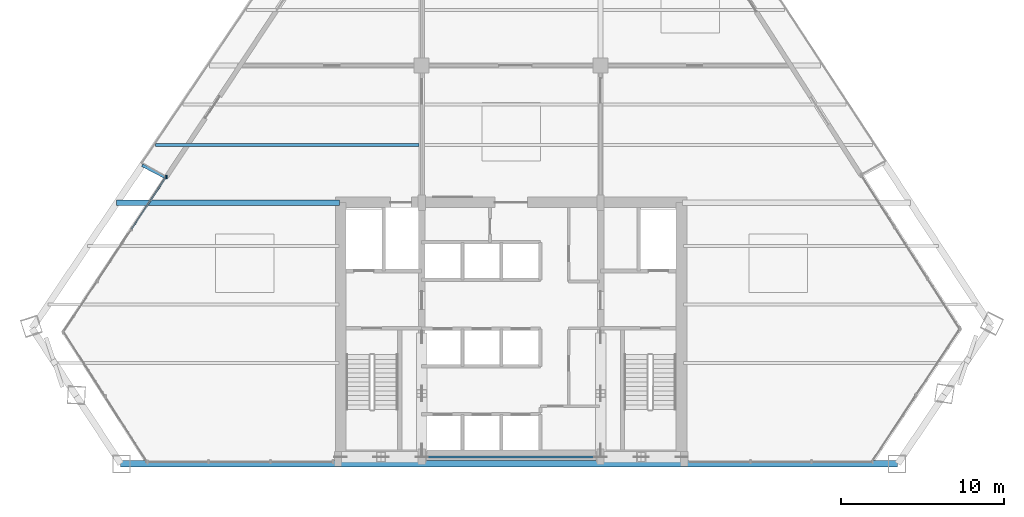
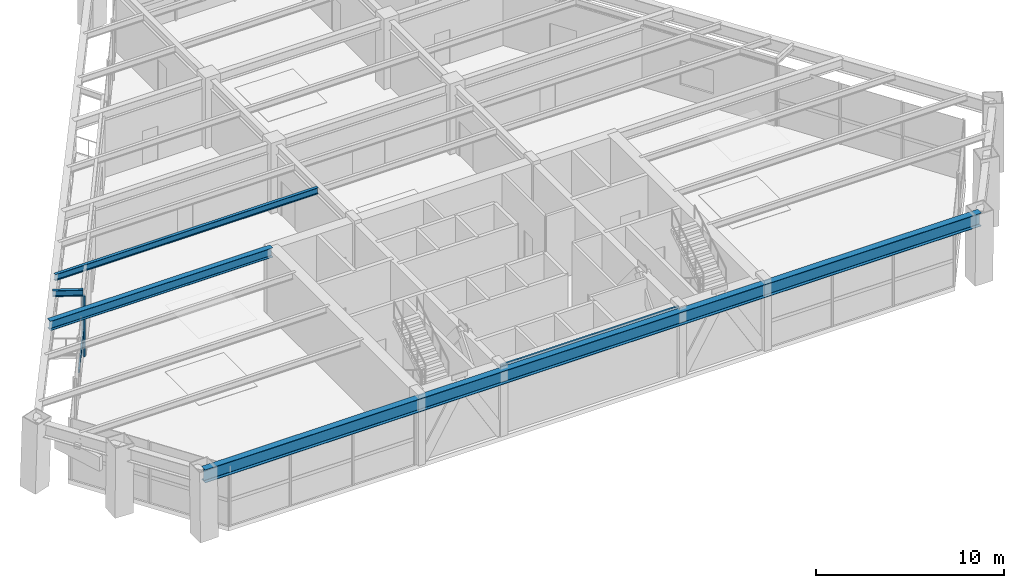
# One storey, part 3 of 12: 5 beams, 2 members, 1 element without a shape of its own.
"""IFC4 building model written with IfcOpenShell, lengths in metres."""

from ifc_helpers import new_model, si_unit, direction, frame, origin, origin_2d, place, context, subcontext, project, spatial, rectangle, i_section, extrude, source, transform, mapped, material, material_profile, profile_set, type_object, type_shapes, element, aggregate, save


model = new_model("IFC4")

# Units and contexts
model_context = context("Model", 3, precision=1e-05, world=origin(), true_north=direction((0.0, 1.0)))
body_context = subcontext(model_context, "Body", "Model", "MODEL_VIEW")
ifc_project = project(units=[si_unit("LENGTHUNIT", "METRE"), si_unit("AREAUNIT", "SQUARE_METRE"), si_unit("VOLUMEUNIT", "CUBIC_METRE"), si_unit("PLANEANGLEUNIT", "RADIAN"), si_unit("MASSUNIT", "GRAM", prefix="KILO")], contexts=[model_context])

# Site, building, storey
site_placement = place(None, origin())
site = spatial("IfcSite", under=ifc_project, at=site_placement, CompositionType="ELEMENT")
building_placement = place(site_placement, origin())
building = spatial("IfcBuilding", under=site, at=building_placement, Name="Varnakhor Terracotta Tower", CompositionType="ELEMENT")
storey_placement = place(building_placement, frame((0.0, 0.0, 121.0)))
storey = spatial("IfcBuildingStorey", under=building, at=storey_placement, Name="L30", CompositionType="ELEMENT", Elevation=121.0)

# Beams
ifc_material_1 = material(Name="Steel S355", Category="steel")
ifc_material_profile_1 = material_profile(ifc_material_1, i_section(OverallWidth=0.1201171875, OverallDepth=0.239990234375, WebThickness=0.006103515625, FlangeThickness=0.009765625, FilletRadius=0.01806640625, at=origin_2d()), Name="IPE240")
ifc_profile_set_1 = profile_set([ifc_material_profile_1], Name="Steel S355")
beam_type_1 = type_object("IfcBeamType", Name="LNT-IPE240", PredefinedType="LINTEL", material=ifc_profile_set_1)
shared_shape_1 = source(origin(), body_context, "Body", "SweptSolid", [
    extrude(i_section(OverallWidth=0.1201171875, OverallDepth=0.239990234375, WebThickness=0.006103515625, FlangeThickness=0.009765625, FilletRadius=0.01806640625, at=origin_2d()), origin(), (0.0, 0.0, 1.0), 11.0),
])
type_shapes(beam_type_1, [shared_shape_1])
beam_1_placement = place(storey_placement, frame((-5.5, 0.419921875, 4.25), z_axis=(1.0, 0.0, 0.0), x_axis=(0.0, 1.0, 0.0)))
element("IfcBeam", 1, at=beam_1_placement, inside=storey, type_object=beam_type_1, Name="L30 Core South Coupling Lintel", PredefinedType="LINTEL", context=body_context, shape_type="MappedRepresentation", body=[
    mapped(shared_shape_1, transform((0.0, 0.0, 0.0), scale=1.0)),
])
ifc_material_profile_2 = material_profile(ifc_material_1, i_section(OverallWidth=0.39990234375, OverallDepth=0.85498046875, WebThickness=0.01806640625, FlangeThickness=0.029052734375, FilletRadius=0.01806640625, at=origin_2d()), Name="W33X201")
ifc_profile_set_2 = profile_set([ifc_material_profile_2], Name="Steel S355")
beam_type_2 = type_object("IfcBeamType", Name="BM-W33X201", PredefinedType="BEAM", material=ifc_profile_set_2)
shared_shape_2 = source(origin(), body_context, "Body", "SweptSolid", [
    extrude(i_section(OverallWidth=0.39990234375, OverallDepth=0.85498046875, WebThickness=0.01806640625, FlangeThickness=0.029052734375, FilletRadius=0.01806640625, at=origin_2d()), origin(), (0.0, 0.0, 1.0), 47.78515625),
])
type_shapes(beam_type_2, [shared_shape_2])
beam_2_placement = place(storey_placement, frame((-24.010986328125, 0.0, 3.9423828125), z_axis=(1.0, 0.0, 0.0), x_axis=(0.0, 1.0, 0.0)))
element("IfcBeam", 2, at=beam_2_placement, inside=storey, type_object=beam_type_2, Name="L30 Perimeter Spandrel 1", PredefinedType="BEAM", context=body_context, shape_type="MappedRepresentation", body=[
    mapped(shared_shape_2, transform((0.0, 0.0, 0.0), scale=1.0)),
])
ifc_material_profile_3 = material_profile(ifc_material_1, i_section(OverallWidth=0.324951171875, OverallDepth=0.615966796875, WebThickness=0.013916015625, FlangeThickness=0.02197265625, FilletRadius=0.01806640625, at=origin_2d()), Name="W24X117")
ifc_profile_set_3 = profile_set([ifc_material_profile_3], Name="Steel S355")
beam_type_3 = type_object("IfcBeamType", Name="BM-W24X117", PredefinedType="BEAM", material=ifc_profile_set_3)
shared_shape_3 = source(origin(), body_context, "Body", "SweptSolid", [
    extrude(i_section(OverallWidth=0.324951171875, OverallDepth=0.615966796875, WebThickness=0.013916015625, FlangeThickness=0.02197265625, FilletRadius=0.01806640625, at=origin_2d()), origin(), (0.0, 0.0, 1.0), 13.70458984375),
])
beam_3_placement = place(storey_placement, frame((-24.254638671875, 16.050048828125, 4.06201171875), z_axis=(1.0, 0.0, 0.0), x_axis=(0.0, 1.0, 0.0)))
element("IfcBeam", 3, at=beam_3_placement, inside=storey, type_object=beam_type_3, Name="L30 Wing Girder W", PredefinedType="BEAM", context=body_context, shape_type="MappedRepresentation", body=[
    mapped(shared_shape_3, transform((0.0, 0.0, 0.0), scale=1.0)),
])
ifc_material_profile_4 = material_profile(ifc_material_1, i_section(OverallWidth=0.179931640625, OverallDepth=0.4130859375, WebThickness=0.009765625, FlangeThickness=0.01611328125, FilletRadius=0.01806640625, at=origin_2d()), Name="W16X50")
ifc_profile_set_4 = profile_set([ifc_material_profile_4], Name="Steel S355")
beam_type_4 = type_object("IfcBeamType", Name="JST-W16X50", PredefinedType="JOIST", material=ifc_profile_set_4)
shared_shape_4 = source(origin(), body_context, "Body", "SweptSolid", [
    extrude(i_section(OverallWidth=0.179931640625, OverallDepth=0.4130859375, WebThickness=0.009765625, FlangeThickness=0.01611328125, FilletRadius=0.01806640625, at=origin_2d()), origin(), (0.0, 0.0, 1.0), 16.203369140625),
])
beam_4_placement = place(storey_placement, frame((-21.86181640625, 19.60009765625, 4.16357421875), z_axis=(1.0, 0.0, 0.0), x_axis=(0.0, 1.0, 0.0)))
element("IfcBeam", 4, at=beam_4_placement, inside=storey, type_object=beam_type_4, Name="L30 Composite Floor Joist 4-1", PredefinedType="JOIST", context=body_context, shape_type="MappedRepresentation", body=[
    mapped(shared_shape_4, transform((0.0, 0.0, 0.0), scale=1.0)),
])

# Curtain wall, members
ifc_material_2 = material(Name="Anodised Aluminium Curtain Wall System", Category="aluminium")
curtain_wall_type = type_object("IfcCurtainWallType", Name="CW-SYS-SKYLOBBY", PredefinedType="NOTDEFINED", material=ifc_material_2)
curtain_wall_placement = place(storey_placement, origin())
curtain_wall = element("IfcCurtainWall", 5, at=curtain_wall_placement, inside=storey, type_object=curtain_wall_type, Name="L30 W Facet Curtain Wall 1", PredefinedType="NOTDEFINED")
ifc_material_3 = material(Name="Anodised Aluminium 6063-T6", Category="aluminium")
ifc_material_profile_5 = material_profile(ifc_material_3, rectangle(XDim=0.090087890625, YDim=0.239990234375, at=origin_2d()), Name="ALU MULLION 90x240")
ifc_profile_set_5 = profile_set([ifc_material_profile_5], Name="Anodised Aluminium 6063-T6")
member_type_1 = type_object("IfcMemberType", Name="CWM-05", PredefinedType="MULLION", material=ifc_profile_set_5)
shared_shape_5 = source(origin(), body_context, "Body", "SweptSolid", [
    extrude(rectangle(XDim=0.090087890625, YDim=0.239990234375, at=origin_2d()), origin(), (0.0, 0.0, 1.0), 3.949951171875),
])
type_shapes(member_type_1, [shared_shape_5])
member_1_placement = place(storey_placement, frame((-21.20361328125, 17.64111328125, 0.0), z_axis=(0.0, 0.0, 1.0), x_axis=(1.0, 0.0, 0.0)))
member_1 = element("IfcMember", 6, at=member_1_placement, type_object=member_type_1, Name="L30 W Loggia Jamb Closure Mullion 1", PredefinedType="MULLION", context=body_context, shape_type="MappedRepresentation", body=[
    mapped(shared_shape_5, transform((0.0, 0.0, 0.0), scale=1.0)),
])
ifc_material_profile_6 = material_profile(ifc_material_3, rectangle(XDim=0.090087890625, YDim=0.2099609375, at=origin_2d()), Name="ALU TRANSOM 90x210")
ifc_profile_set_6 = profile_set([ifc_material_profile_6], Name="Anodised Aluminium 6063-T6")
member_type_2 = type_object("IfcMemberType", Name="CWT-05", PredefinedType="USERDEFINED", material=ifc_profile_set_6)
shared_shape_6 = source(origin(), body_context, "Body", "SweptSolid", [
    extrude(rectangle(XDim=0.090087890625, YDim=0.2099609375, at=origin_2d()), origin(), (0.0, 0.0, 1.0), 3.81201171875),
])
type_shapes(member_type_2, [shared_shape_6])
member_2_placement = place(storey_placement, frame((-23.34033203125, 14.44775390625, 1.658935546875), z_axis=(0.551755545235, 0.834005886251, 0.0), x_axis=(-0.834005886251, 0.551755545235, 0.0)))
member_2 = element("IfcMember", 7, at=member_2_placement, type_object=member_type_2, Name="L30 W Facet Curtain Wall 1 Transom 3", ObjectType="TRANSOM", PredefinedType="USERDEFINED", context=body_context, shape_type="MappedRepresentation", body=[
    mapped(shared_shape_6, transform((0.0, 0.0, 0.0), scale=1.0)),
])
aggregate(curtain_wall, [member_2, member_1])

# Beam
ifc_material_profile_7 = material_profile(ifc_material_1, i_section(OverallWidth=0.179931640625, OverallDepth=0.39990234375, WebThickness=0.008544921875, FlangeThickness=0.013427734375, FilletRadius=0.01806640625, at=origin_2d()), Name="IPE400")
ifc_profile_set_7 = profile_set([ifc_material_profile_7], Name="Steel S355")
beam_type_5 = type_object("IfcBeamType", Name="JST-IPE400", PredefinedType="JOIST", material=ifc_profile_set_7)
shared_shape_7 = source(origin(), body_context, "Body", "SweptSolid", [
    extrude(i_section(OverallWidth=0.179931640625, OverallDepth=0.39990234375, WebThickness=0.008544921875, FlangeThickness=0.013427734375, FilletRadius=0.01806640625, at=origin_2d()), origin(), (0.0, 0.0, 1.0), 1.61767578125),
])
beam_5_placement = place(storey_placement, frame((-21.2578125, 17.6201171875, 4.169921875), z_axis=(-0.886660182719, 0.462421582953, 0.0), x_axis=(-0.462421582953, -0.886660182719, 0.0)))
element("IfcBeam", 8, at=beam_5_placement, inside=storey, type_object=beam_type_5, Name="L31 W Loggia Tie Beam 1", PredefinedType="JOIST", context=body_context, shape_type="MappedRepresentation", body=[
    mapped(shared_shape_7, transform((0.0, 0.0, 0.0), scale=1.0)),
])

save(model, "model.ifc")
